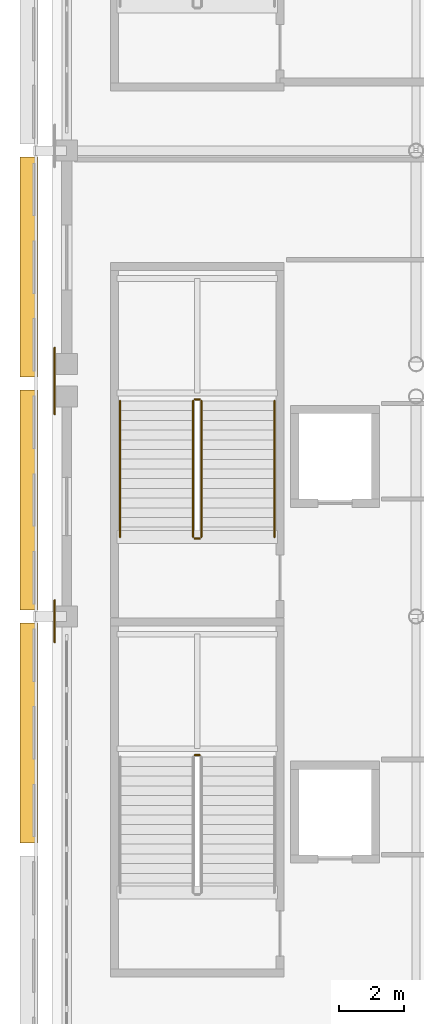
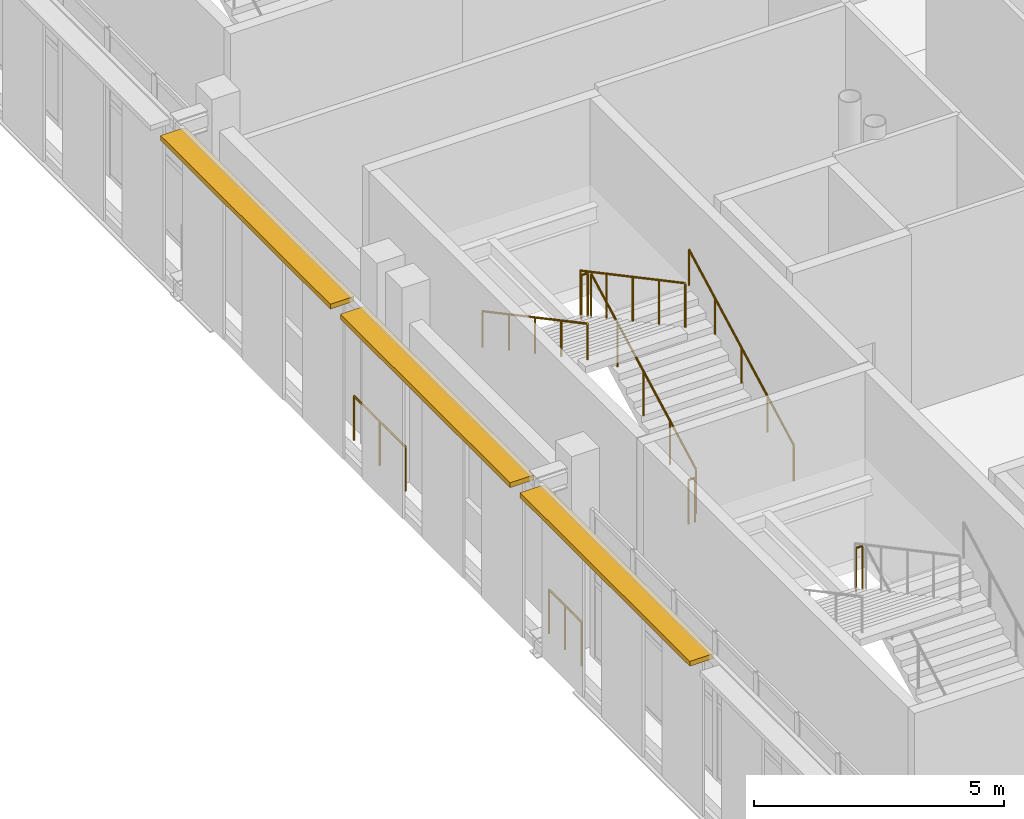
# One storey, part 86 of 104: 9 railings, 3 shading devices.
"""IFC4 building model written with IfcOpenShell, lengths in metres."""

import ifcopenshell
import ifcopenshell.guid

model = None  # the IFC model being written
_history = None  # IfcOwnerHistory: only IFC2X3 demands one
_inside = {}  # id of a spatial element -> (the spatial element, [elements in it])
_under = {}  # id of a project, library or spatial element -> (it, [spatial elements below it])
_declared = {}  # id of a project -> (the project, [libraries it declares])
_typed = {}  # id of a type object -> (the type object, [elements of that type])
_made_of = {}  # id of a material, layer set ... -> (it, [elements and type objects made of it])


def new_model(schema):
    """Start an empty IFC model of exactly this schema.

    Asked for "IFC4X3", IfcOpenShell would pick the latest addendum, in which some entities
    have other attributes; the version numbers below select the first issue.
    IFC2X3 requires an IfcOwnerHistory on every rooted entity: one is made here for all.
    """
    global model, _history
    if schema == "IFC4X3":
        model = ifcopenshell.file(schema_version=(4, 3, 0, 0))
    else:
        model = ifcopenshell.file(schema=schema)
    _inside.clear()
    _under.clear()
    _declared.clear()
    _typed.clear()
    _made_of.clear()
    _history = None
    if model.schema == "IFC2X3":
        org = make("IfcOrganization", Name="unknown")
        user = make(
            "IfcPersonAndOrganization",
            ThePerson=make("IfcPerson", FamilyName="unknown"),
            TheOrganization=org,
        )
        app = make(
            "IfcApplication",
            ApplicationDeveloper=org,
            Version="unknown",
            ApplicationFullName="unknown",
            ApplicationIdentifier="unknown",
        )
        _history = make(
            "IfcOwnerHistory",
            OwningUser=user,
            OwningApplication=app,
            ChangeAction="ADDED",
            CreationDate=0,
        )
    return model


def make(cls, **values):
    """One entity of the class cls with the attributes given. An attribute that is None is left unset."""
    return model.create_entity(
        cls, **{name: value for name, value in values.items() if value is not None}
    )


def rooted(cls, **values):
    """An entity with a GlobalId (a new one), such as an element, a storey or a relation."""
    return make(cls, GlobalId=ifcopenshell.guid.new(), OwnerHistory=_history, **values)


def si_unit(unit_type, name, prefix=None):
    """IfcSIUnit, for example si_unit("LENGTHUNIT", "METRE", prefix="MILLI")."""
    return make("IfcSIUnit", UnitType=unit_type, Prefix=prefix, Name=name)


def assignment(units):
    """IfcUnitAssignment: the units of a project."""
    return None if units is None else make("IfcUnitAssignment", Units=units)


def point(xyz):
    """IfcCartesianPoint."""
    return None if xyz is None else make("IfcCartesianPoint", Coordinates=xyz)


def direction(xyz):
    """IfcDirection."""
    return None if xyz is None else make("IfcDirection", DirectionRatios=xyz)


def frame(location, z_axis=None, x_axis=None):
    """IfcAxis2Placement3D, a coordinate frame: its origin and axes. An axis left out is left unset."""
    return make(
        "IfcAxis2Placement3D",
        Location=point(location),
        Axis=direction(z_axis),
        RefDirection=direction(x_axis),
    )


def frame_2d(location, x_axis=None):
    """IfcAxis2Placement2D, a coordinate frame in the plane: its origin and x axis."""
    return make(
        "IfcAxis2Placement2D", Location=point(location), RefDirection=direction(x_axis)
    )


def origin():
    """The frame at (0, 0, 0) with its axes left unset."""
    return frame((0.0, 0.0, 0.0))


def origin_2d():
    """The frame at (0, 0) in the plane with its x axis left unset."""
    return frame_2d((0.0, 0.0))


def place(relative_to, where):
    """IfcLocalPlacement: puts the frame where relative to a parent placement (None: the world)."""
    return make(
        "IfcLocalPlacement", PlacementRelTo=relative_to, RelativePlacement=where
    )


def context(
    kind, dimensions, precision=None, world=None, true_north=None, identifier=None
):
    """IfcGeometricRepresentationContext, for example the 3D "Model" context."""
    return make(
        "IfcGeometricRepresentationContext",
        ContextIdentifier=identifier,
        ContextType=kind,
        CoordinateSpaceDimension=dimensions,
        Precision=precision,
        WorldCoordinateSystem=world,
        TrueNorth=true_north,
    )


def subcontext(parent, identifier, kind, view, scale=None):
    """IfcGeometricRepresentationSubContext, for example "Body" below "Model"."""
    return make(
        "IfcGeometricRepresentationSubContext",
        ContextIdentifier=identifier,
        ContextType=kind,
        ParentContext=parent,
        TargetScale=scale,
        TargetView=view,
    )


def project(units=None, contexts=None):
    """IfcProject with its units and contexts."""
    return rooted(
        "IfcProject",
        Name="project",
        RepresentationContexts=contexts,
        UnitsInContext=assignment(units),
    )


def spatial(cls, under=None, at=None, **own):
    """A site, building, storey or space (cls), placed at a placement, below another one or the project."""
    s = rooted(cls, ObjectPlacement=at, **own)
    if under is not None:
        _under.setdefault(under.id(), (under, []))[1].append(s)
    return s


def profile(cls, at=None, kind="AREA", **sizes):
    """A parametric profile (cls). Its sizes go by their IFC names, for example OverallWidth=200.0."""
    return make(cls, ProfileType=kind, Position=at, **sizes)


def rectangle(**sizes):
    """IfcRectangleProfileDef."""
    return profile("IfcRectangleProfileDef", **sizes)


def circle(**sizes):
    """IfcCircleProfileDef."""
    return profile("IfcCircleProfileDef", **sizes)


def extrude(swept, where, along, depth):
    """IfcExtrudedAreaSolid: the profile swept, set in the frame where, extruded along a direction by depth."""
    return make(
        "IfcExtrudedAreaSolid",
        SweptArea=swept,
        Position=where,
        ExtrudedDirection=direction(along),
        Depth=depth,
    )


def shape(context_of_items, identifier, shape_type, items):
    """IfcShapeRepresentation: the items that make up one representation, for example the "Body"."""
    return make(
        "IfcShapeRepresentation",
        ContextOfItems=context_of_items,
        RepresentationIdentifier=identifier,
        RepresentationType=shape_type,
        Items=items,
    )


def material(Name=None, Category=None):
    """IfcMaterial."""
    return make("IfcMaterial", Name=Name, Category=Category)


def made_of(thing, what):
    """Note that an element or type object is made of a material, layer set ...; save() writes the relation."""
    if what is not None:
        _made_of.setdefault(what.id(), (what, []))[1].append(thing)
    return thing


def type_object(cls, material=None, **own):
    """A type object (cls), such as IfcWallType, which elements share."""
    return made_of(rooted(cls, **own), material)


def element(
    cls,
    number,
    at=None,
    inside=None,
    cuts=None,
    type_object=None,
    material=None,
    context=None,
    identifier="Body",
    shape_type=None,
    held_by="IfcProductDefinitionShape",
    body=None,
    shapes=None,
    **own,
):
    """One element of the class cls, such as IfcWall. Its Tag is "e" and its number.

    at: its placement. inside: the storey or other place that contains it. cuts: it is an
    opening in that element (IfcRelVoidsElement). A single representation is given by context,
    identifier, shape_type and body (its items); several are given by shapes. held_by: the class
    of the entity that holds the representations. save() writes the other relations.
    """
    e = rooted(cls, Tag="e%d" % number, ObjectPlacement=at, **own)
    if body is not None:
        shapes = [shape(context, identifier, shape_type, body)]
    if shapes is not None:
        e.Representation = make(held_by, Representations=shapes)
    if inside is not None:
        _inside.setdefault(inside.id(), (inside, []))[1].append(e)
    if cuts is not None:
        rooted(
            "IfcRelVoidsElement", RelatingBuildingElement=cuts, RelatedOpeningElement=e
        )
    if type_object is not None:
        _typed.setdefault(type_object.id(), (type_object, []))[1].append(e)
    return made_of(e, material)


def aggregate(whole, parts):
    """IfcRelAggregates: a whole, such as a stair, and the parts it consists of."""
    return rooted("IfcRelAggregates", RelatingObject=whole, RelatedObjects=parts)


def save(model, path):
    """Write the relations noted so far, then the file.

    IfcRelAggregates (storeys below a building ...), IfcRelContainedInSpatialStructure (elements
    in a storey), IfcRelDefinesByType, IfcRelAssociatesMaterial and IfcRelDeclares: one each for
    every whole, place, type object, material and project.
    """
    for whole, parts in _under.values():
        aggregate(whole, parts)
    for where, things in _inside.values():
        rooted(
            "IfcRelContainedInSpatialStructure",
            RelatedElements=things,
            RelatingStructure=where,
        )
    for kind, things in _typed.values():
        rooted("IfcRelDefinesByType", RelatedObjects=things, RelatingType=kind)
    for what, things in _made_of.values():
        rooted("IfcRelAssociatesMaterial", RelatedObjects=things, RelatingMaterial=what)
    for by, libraries in _declared.values():
        rooted("IfcRelDeclares", RelatingContext=by, RelatedDefinitions=libraries)
    model.write(path)


model = new_model("IFC4")

# Units and contexts
model_context = context("Model", 3, precision=1e-05, world=origin(), true_north=direction((0.0, 1.0)))
body_context = subcontext(model_context, "Body", "Model", "MODEL_VIEW")
ifc_project = project(units=[si_unit("LENGTHUNIT", "METRE"), si_unit("AREAUNIT", "SQUARE_METRE"), si_unit("VOLUMEUNIT", "CUBIC_METRE"), si_unit("PLANEANGLEUNIT", "RADIAN"), si_unit("MASSUNIT", "GRAM", prefix="KILO")], contexts=[model_context])

# Site, building, storey
site_placement = place(None, origin())
site = spatial("IfcSite", under=ifc_project, at=site_placement, CompositionType="ELEMENT")
building_placement = place(site_placement, origin())
building = spatial("IfcBuilding", under=site, at=building_placement, Name="Koshinbarg Plaza Stadium", CompositionType="ELEMENT")
storey_placement = place(building_placement, frame((0.0, 0.0, 19.800048828125)))
storey = spatial("IfcBuildingStorey", under=building, at=storey_placement, Name="L04", CompositionType="ELEMENT", Elevation=19.800048828125)

# Railings
ifc_material_1 = material(Name="Toughened laminated glass and stainless steel sightline balustrade", Category="steel")
railing_type_1 = type_object("IfcRailingType", Name="RL-BOWL-1100", PredefinedType="BALUSTRADE", material=ifc_material_1)
railing_1_placement = place(storey_placement, frame((24.22509765625, 67.89990234375, 0.0)))
element("IfcRailing", 1, at=railing_1_placement, inside=storey, type_object=railing_type_1, Name="L04 deck edge safety balustrade 0288", PredefinedType="BALUSTRADE", context=body_context, shape_type="SweptSolid", body=[
    extrude(circle(Radius=0.02392578125, at=origin_2d()), frame((0.0, 0.0, 1.076171875), z_axis=(0.0, 1.0, 0.0), x_axis=(-1.0, 0.0, 0.0)), (0.0, 0.0, 1.0), 1.300048828125),
    extrude(circle(Radius=0.02099609375, at=origin_2d()), origin(), (0.0, 0.0, 1.0), 1.052001953125),
    extrude(circle(Radius=0.02099609375, at=origin_2d()), frame((0.0, 0.64990234375, 0.0)), (0.0, 0.0, 1.0), 1.052001953125),
    extrude(circle(Radius=0.02099609375, at=origin_2d()), frame((0.0, 1.300048828125, 0.0)), (0.0, 0.0, 1.0), 1.052001953125),
])
railing_2_placement = place(storey_placement, frame((24.22509765625, 74.949951171875, 0.0)))
element("IfcRailing", 2, at=railing_2_placement, inside=storey, type_object=railing_type_1, Name="L04 deck edge safety balustrade 0289", PredefinedType="BALUSTRADE", context=body_context, shape_type="SweptSolid", body=[
    extrude(circle(Radius=0.02392578125, at=origin_2d()), frame((0.0, 0.0, 1.076171875), z_axis=(0.0, 1.0, 0.0), x_axis=(-1.0, 0.0, 0.0)), (0.0, 0.0, 1.0), 2.050048828125),
    extrude(circle(Radius=0.02099609375, at=origin_2d()), origin(), (0.0, 0.0, 1.0), 1.052001953125),
    extrude(circle(Radius=0.02099609375, at=origin_2d()), frame((0.0, 1.02490234375, 0.0)), (0.0, 0.0, 1.0), 1.052001953125),
    extrude(circle(Radius=0.02099609375, at=origin_2d()), frame((0.0, 2.050048828125, 0.0)), (0.0, 0.0, 1.0), 1.052001953125),
])
ifc_material_2 = material(Name="Galvanized painted steel guardrail", Category="steel")
railing_type_2 = type_object("IfcRailingType", Name="RL-GUARD-1100", PredefinedType="GUARDRAIL", material=ifc_material_2)
railing_3_placement = place(storey_placement, frame((28.7099609375, 64.409912109375, 2.39990234375)))
element("IfcRailing", 3, at=railing_3_placement, inside=storey, type_object=railing_type_2, Name="L04 C03 stair guard 2", PredefinedType="GUARDRAIL", context=body_context, shape_type="SweptSolid", body=[
    extrude(circle(Radius=0.02392578125, at=origin_2d()), frame((0.0, 0.0, 1.076171875), z_axis=(-1.0, 0.0, 0.0), x_axis=(0.0, -1.0, 0.0)), (0.0, 0.0, 1.0), 0.14990234375),
    extrude(circle(Radius=0.02099609375, at=origin_2d()), origin(), (0.0, 0.0, 1.0), 1.052001953125),
    extrude(circle(Radius=0.02099609375, at=origin_2d()), frame((-0.14990234375, 0.0, 0.0)), (0.0, 0.0, 1.0), 1.052001953125),
])
railing_4_placement = place(storey_placement, frame((28.760009765625, 71.159912109375, 0.159912109375)))
element("IfcRailing", 4, at=railing_4_placement, inside=storey, type_object=railing_type_2, Name="L04 C04 stair guard 1", PredefinedType="GUARDRAIL", context=body_context, shape_type="SweptSolid", body=[
    extrude(circle(Radius=0.02392578125, at=origin_2d()), frame((0.0, 0.0, 1.076171875), z_axis=(0.0, 0.882362879185, 0.470569601054), x_axis=(-1.0, 0.0, 0.0)), (0.0, 0.0, 1.0), 4.76025390625),
    extrude(circle(Radius=0.02099609375, at=origin_2d()), origin(), (0.0, 0.0, 1.0), 1.052001953125),
    extrude(circle(Radius=0.02099609375, at=origin_2d()), frame((0.0, 1.050048828125, 0.56005859375)), (0.0, 0.0, 1.0), 1.052001953125),
    extrude(circle(Radius=0.02099609375, at=origin_2d()), frame((0.0, 2.10009765625, 1.1201171875)), (0.0, 0.0, 1.0), 1.052001953125),
    extrude(circle(Radius=0.02099609375, at=origin_2d()), frame((0.0, 3.150146484375, 1.679931640625)), (0.0, 0.0, 1.0), 1.052001953125),
    extrude(circle(Radius=0.02099609375, at=origin_2d()), frame((0.0, 4.2001953125, 2.239990234375)), (0.0, 0.0, 1.0), 1.052001953125),
])
railing_5_placement = place(storey_placement, frame((28.7099609375, 75.409912109375, 2.39990234375)))
element("IfcRailing", 5, at=railing_5_placement, inside=storey, type_object=railing_type_2, Name="L04 C04 stair guard 2", PredefinedType="GUARDRAIL", context=body_context, shape_type="SweptSolid", body=[
    extrude(circle(Radius=0.02392578125, at=origin_2d()), frame((0.0, 0.0, 1.076171875), z_axis=(-1.0, 0.0, 0.0), x_axis=(0.0, -1.0, 0.0)), (0.0, 0.0, 1.0), 0.14990234375),
    extrude(circle(Radius=0.02099609375, at=origin_2d()), origin(), (0.0, 0.0, 1.0), 1.052001953125),
    extrude(circle(Radius=0.02099609375, at=origin_2d()), frame((-0.14990234375, 0.0, 0.0)), (0.0, 0.0, 1.0), 1.052001953125),
])
railing_6_placement = place(storey_placement, frame((28.510009765625, 75.360107421875, 2.56005859375)))
element("IfcRailing", 6, at=railing_6_placement, inside=storey, type_object=railing_type_2, Name="L04 C04 stair guard 3", PredefinedType="GUARDRAIL", context=body_context, shape_type="SweptSolid", body=[
    extrude(circle(Radius=0.02392578125, at=origin_2d()), frame((0.0, 0.0, 1.076171875), z_axis=(0.0, -0.882362879185, 0.470569601054), x_axis=(1.0, 0.0, 0.0)), (0.0, 0.0, 1.0), 4.76025390625),
    extrude(circle(Radius=0.02099609375, at=origin_2d()), origin(), (0.0, 0.0, 1.0), 1.052001953125),
    extrude(circle(Radius=0.02099609375, at=origin_2d()), frame((0.0, -1.050048828125, 0.56005859375)), (0.0, 0.0, 1.0), 1.052001953125),
    extrude(circle(Radius=0.02099609375, at=origin_2d()), frame((0.0, -2.10009765625, 1.1201171875)), (0.0, 0.0, 1.0), 1.052001953125),
    extrude(circle(Radius=0.02099609375, at=origin_2d()), frame((0.0, -3.150146484375, 1.679931640625)), (0.0, 0.0, 1.0), 1.052001953125),
    extrude(circle(Radius=0.02099609375, at=origin_2d()), frame((0.0, -4.2001953125, 2.239990234375)), (0.0, 0.0, 1.0), 1.052001953125),
])
railing_7_placement = place(storey_placement, frame((28.7099609375, 71.110107421875, 0.0)))
element("IfcRailing", 7, at=railing_7_placement, inside=storey, type_object=railing_type_2, Name="L04 C04 stair guard 4", PredefinedType="GUARDRAIL", context=body_context, shape_type="SweptSolid", body=[
    extrude(circle(Radius=0.02392578125, at=origin_2d()), frame((0.0, 0.0, 1.076171875), z_axis=(-1.0, 0.0, 0.0), x_axis=(0.0, -1.0, 0.0)), (0.0, 0.0, 1.0), 0.14990234375),
    extrude(circle(Radius=0.02099609375, at=origin_2d()), origin(), (0.0, 0.0, 1.0), 1.052001953125),
    extrude(circle(Radius=0.02099609375, at=origin_2d()), frame((-0.14990234375, 0.0, 0.0)), (0.0, 0.0, 1.0), 1.052001953125),
])
ifc_material_3 = material(Name="Brushed stainless steel handrail", Category="steel")
railing_type_3 = type_object("IfcRailingType", Name="RL-HAND-900", PredefinedType="HANDRAIL", material=ifc_material_3)
railing_8_placement = place(storey_placement, frame((31.02001953125, 71.159912109375, 0.159912109375)))
element("IfcRailing", 8, at=railing_8_placement, inside=storey, type_object=railing_type_3, Name="L04 C04 stair handrail 1", PredefinedType="HANDRAIL", context=body_context, shape_type="SweptSolid", body=[
    extrude(circle(Radius=0.02392578125, at=origin_2d()), frame((0.0, 0.0, 0.8759765625), z_axis=(0.0, 0.882362879185, 0.470569601054), x_axis=(-1.0, 0.0, 0.0)), (0.0, 0.0, 1.0), 4.76025390625),
    extrude(circle(Radius=0.02099609375, at=origin_2d()), origin(), (0.0, 0.0, 1.0), 0.851806640625),
    extrude(circle(Radius=0.02099609375, at=origin_2d()), frame((0.0, 1.050048828125, 0.56005859375)), (0.0, 0.0, 1.0), 0.851806640625),
    extrude(circle(Radius=0.02099609375, at=origin_2d()), frame((0.0, 2.10009765625, 1.1201171875)), (0.0, 0.0, 1.0), 0.851806640625),
    extrude(circle(Radius=0.02099609375, at=origin_2d()), frame((0.0, 3.150146484375, 1.679931640625)), (0.0, 0.0, 1.0), 0.851806640625),
    extrude(circle(Radius=0.02099609375, at=origin_2d()), frame((0.0, 4.2001953125, 2.239990234375)), (0.0, 0.0, 1.0), 0.851806640625),
])
railing_9_placement = place(storey_placement, frame((26.25, 75.360107421875, 2.56005859375)))
element("IfcRailing", 9, at=railing_9_placement, inside=storey, type_object=railing_type_3, Name="L04 C04 stair handrail 2", PredefinedType="HANDRAIL", context=body_context, shape_type="SweptSolid", body=[
    extrude(circle(Radius=0.02392578125, at=origin_2d()), frame((0.0, 0.0, 0.8759765625), z_axis=(0.0, -0.882362879185, 0.470569601054), x_axis=(1.0, 0.0, 0.0)), (0.0, 0.0, 1.0), 4.76025390625),
    extrude(circle(Radius=0.02099609375, at=origin_2d()), origin(), (0.0, 0.0, 1.0), 0.851806640625),
    extrude(circle(Radius=0.02099609375, at=origin_2d()), frame((0.0, -1.050048828125, 0.56005859375)), (0.0, 0.0, 1.0), 0.851806640625),
    extrude(circle(Radius=0.02099609375, at=origin_2d()), frame((0.0, -2.10009765625, 1.1201171875)), (0.0, 0.0, 1.0), 0.851806640625),
    extrude(circle(Radius=0.02099609375, at=origin_2d()), frame((0.0, -3.150146484375, 1.679931640625)), (0.0, 0.0, 1.0), 0.851806640625),
    extrude(circle(Radius=0.02099609375, at=origin_2d()), frame((0.0, -4.2001953125, 2.239990234375)), (0.0, 0.0, 1.0), 0.851806640625),
])

# Shading devices
ifc_material_4 = material(Name="Off-white powder-coated aluminium sun-baffle louvre", Category="aluminium")
shading_device_type = type_object("IfcShadingDeviceType", Name="SHD-LOUVRE-01", PredefinedType="USERDEFINED", material=ifc_material_4)
for number, where, z_axis, x_axis, name in (
    (10, (23.429931640625, 65.10009765625, 4.119873046875), (0.0, 0.0, 1.0), (1.0, 0.0, 0.0), "L04 solar brise-soleil louvre 20"),
    (11, (23.429931640625, 72.300048828125, 4.119873046875), (0.0, 0.0, 1.0), (1.0, 0.0, 0.0), "L04 solar brise-soleil louvre 21"),
    (12, (23.429931640625, 79.5, 4.119873046875), (0.0, 0.0, 1.0), (1.0, 0.0, 0.0), "L04 solar brise-soleil louvre 22"),
):
    element("IfcShadingDevice", number, at=place(storey_placement, frame(where, z_axis=z_axis, x_axis=x_axis)), inside=storey, type_object=shading_device_type, Name=name, ObjectType="LOUVRE", PredefinedType="USERDEFINED", context=body_context, shape_type="SweptSolid", body=[
        extrude(rectangle(XDim=0.550048828125, YDim=6.800048828125, at=origin_2d()), origin(), (0.0, 0.0, 1.0), 0.1201171875),
    ])

save(model, "model.ifc")
